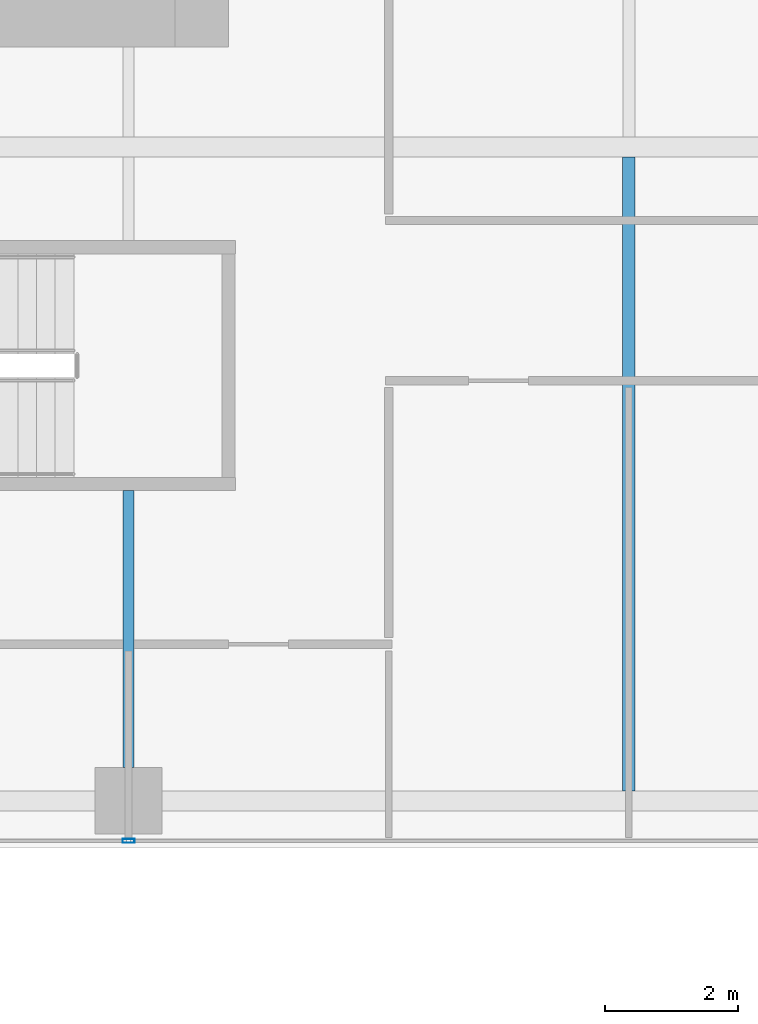
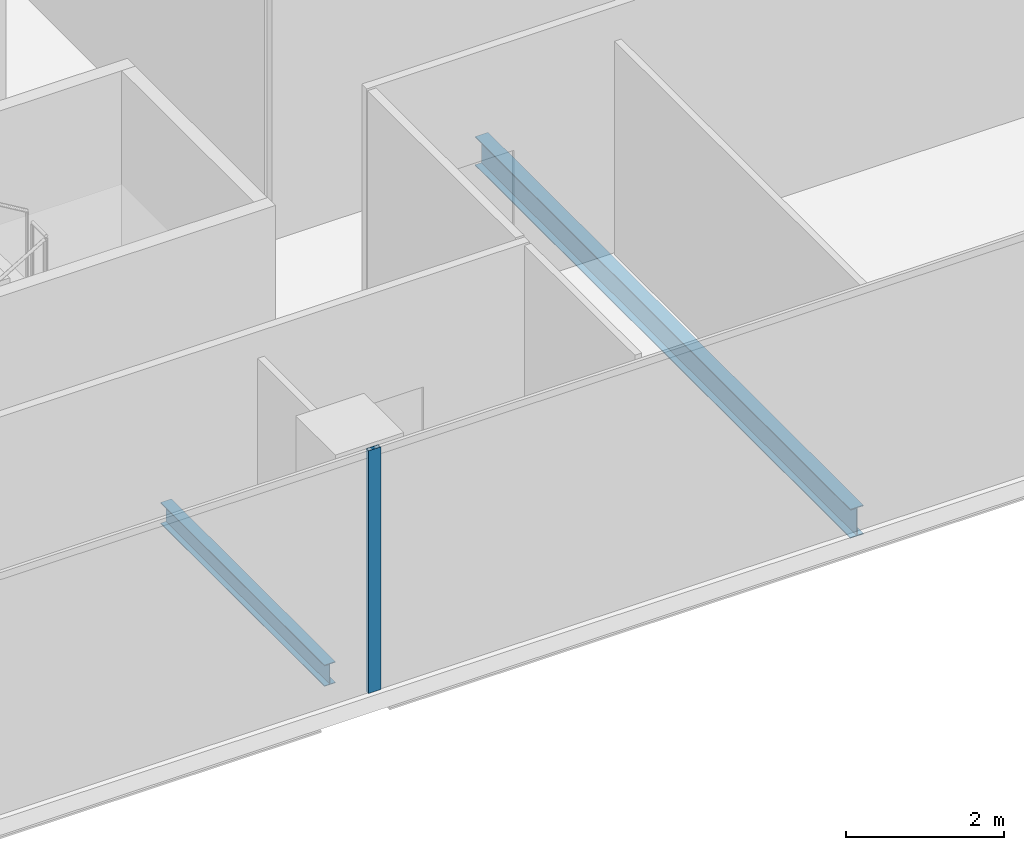
# One storey, part 6 of 40: 2 beams, 1 member, 1 element without a shape of its own.
"""IFC4 building model written with IfcOpenShell, lengths in metres."""

from ifc_helpers import new_model, si_unit, direction, frame, origin, origin_2d, place, context, subcontext, project, spatial, hollow_rectangle, i_section, extrude, source, transform, mapped, material, material_profile, profile_set, type_object, element, aggregate, save


model = new_model("IFC4")

# Units and contexts
model_context = context("Model", 3, precision=1e-05, world=origin(), true_north=direction((0.0, 1.0)))
body_context = subcontext(model_context, "Body", "Model", "MODEL_VIEW")
ifc_project = project(units=[si_unit("LENGTHUNIT", "METRE"), si_unit("AREAUNIT", "SQUARE_METRE"), si_unit("VOLUMEUNIT", "CUBIC_METRE"), si_unit("PLANEANGLEUNIT", "RADIAN"), si_unit("MASSUNIT", "GRAM", prefix="KILO")], contexts=[model_context])

# Site, building, storey
site_placement = place(None, origin())
site = spatial("IfcSite", under=ifc_project, at=site_placement, CompositionType="ELEMENT")
building_placement = place(site_placement, origin())
building = spatial("IfcBuilding", under=site, at=building_placement, Name="Khomas Fold Tower", CompositionType="ELEMENT")
storey_placement = place(building_placement, frame((0.0, 0.0, 204.699951171875)))
storey = spatial("IfcBuildingStorey", under=building, at=storey_placement, Name="L45", CompositionType="ELEMENT", Elevation=204.699951171875)

# Beams
ifc_material_1 = material(Name="Steel S355", Category="steel")
ifc_material_profile_1 = material_profile(ifc_material_1, i_section(OverallWidth=0.159912109375, OverallDepth=0.330078125, WebThickness=0.007568359375, FlangeThickness=0.011474609375, at=origin_2d()), Name="IPE 330")
ifc_profile_set_1 = profile_set([ifc_material_profile_1], Name="Steel S355")
beam_type_1 = type_object("IfcBeamType", Name="IPE 330 beam JB1", PredefinedType="BEAM", material=ifc_profile_set_1)
shared_shape_1 = source(origin(), body_context, "Body", "SweptSolid", [
    extrude(i_section(OverallWidth=0.159912109375, OverallDepth=0.330078125, WebThickness=0.007568359375, FlangeThickness=0.011474609375, at=origin_2d()), origin(), (0.0, 0.0, 1.0), 4.150146484375),
])
beam_1_placement = place(storey_placement, frame((19.5, 4.199951171875, -0.4150390625), z_axis=(0.0, 1.0, 0.0), x_axis=(-1.0, 0.0, 0.0)))
element("IfcBeam", 1, at=beam_1_placement, inside=storey, type_object=beam_type_1, Name="JB1", PredefinedType="BEAM", context=body_context, shape_type="MappedRepresentation", body=[
    mapped(shared_shape_1, transform((0.0, 0.0, 0.0))),
])
ifc_material_2 = material(Name="Steel S355", Category="steel")
ifc_material_profile_2 = material_profile(ifc_material_2, i_section(OverallWidth=0.18994140625, OverallDepth=0.449951171875, WebThickness=0.009521484375, FlangeThickness=0.0146484375, at=origin_2d()), Name="IPE 450")
ifc_profile_set_2 = profile_set([ifc_material_profile_2], Name="Steel S355")
beam_type_2 = type_object("IfcBeamType", Name="IPE 450 beam JB4", PredefinedType="BEAM", material=ifc_profile_set_2)
shared_shape_2 = source(origin(), body_context, "Body", "SweptSolid", [
    extrude(i_section(OverallWidth=0.18994140625, OverallDepth=0.449951171875, WebThickness=0.009521484375, FlangeThickness=0.0146484375, at=origin_2d()), origin(), (0.0, 0.0, 1.0), 9.5),
])
beam_2_placement = place(storey_placement, frame((27.0, 3.85009765625, -0.474853515625), z_axis=(0.0, 1.0, 0.0), x_axis=(-1.0, 0.0, 0.0)))
element("IfcBeam", 2, at=beam_2_placement, inside=storey, type_object=beam_type_2, Name="JB4", PredefinedType="BEAM", context=body_context, shape_type="MappedRepresentation", body=[
    mapped(shared_shape_2, transform((0.0, 0.0, 0.0))),
])

# Curtain wall, member
ifc_material_3 = material(Name="Aluminium framed double glazing", Category="aluminium")
curtain_wall_type = type_object("IfcCurtainWallType", Name="SK-Unitised clear-glass wall, office floors CW2", PredefinedType="NOTDEFINED", material=ifc_material_3)
curtain_wall_placement = place(storey_placement, origin())
curtain_wall = element("IfcCurtainWall", 3, at=curtain_wall_placement, inside=storey, type_object=curtain_wall_type, Name="CW2 run L45 00-0", PredefinedType="NOTDEFINED")
ifc_material_4 = material(Name="Aluminium", Category="aluminium")
ifc_material_profile_3 = material_profile(ifc_material_4, hollow_rectangle(XDim=0.06005859375, YDim=0.179931640625, WallThickness=0.00390625, at=origin_2d()), Name="SK-Unitised clear-glass wall, office floors mullion CW2-M")
ifc_profile_set_3 = profile_set([ifc_material_profile_3], Name="Aluminium")
member_type = type_object("IfcMemberType", Name="SK-Unitised clear-glass wall, office floors mullion CW2-M", PredefinedType="MULLION", material=ifc_profile_set_3)
shared_shape_3 = source(origin(), body_context, "Body", "SweptSolid", [
    extrude(hollow_rectangle(XDim=0.06005859375, YDim=0.179931640625, WallThickness=0.00390625, at=origin_2d()), origin(), (0.0, 0.0, 1.0), 3.75),
])
member_placement = place(storey_placement, frame((19.5, 3.10009765625, 0.0), z_axis=(0.0, 0.0, 1.0), x_axis=(0.0, 1.0, 0.0)))
member = element("IfcMember", 4, at=member_placement, type_object=member_type, Name="CW2 mullion 4", PredefinedType="MULLION", context=body_context, shape_type="MappedRepresentation", body=[
    mapped(shared_shape_3, transform((0.0, 0.0, 0.0))),
])
aggregate(curtain_wall, [member])

save(model, "model.ifc")
